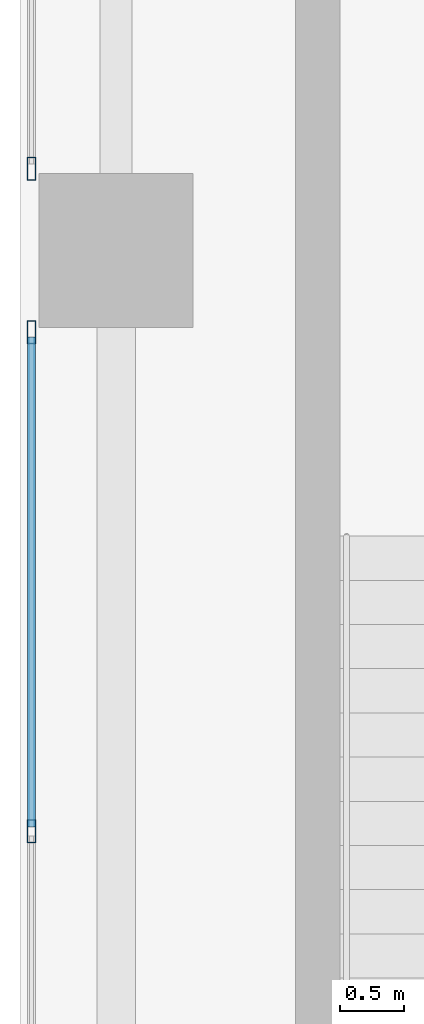
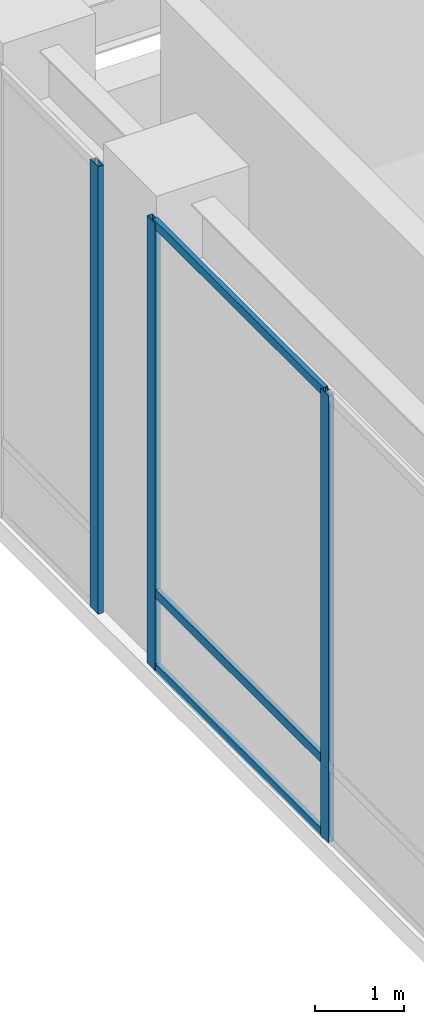
# One storey, part 30 of 50: 6 members, 2 elements without a shape of their own.
"""IFC4 building model written with IfcOpenShell, lengths in metres."""

import ifcopenshell
import ifcopenshell.guid

model = None  # the IFC model being written
_history = None  # IfcOwnerHistory: only IFC2X3 demands one
_inside = {}  # id of a spatial element -> (the spatial element, [elements in it])
_under = {}  # id of a project, library or spatial element -> (it, [spatial elements below it])
_declared = {}  # id of a project -> (the project, [libraries it declares])
_typed = {}  # id of a type object -> (the type object, [elements of that type])
_made_of = {}  # id of a material, layer set ... -> (it, [elements and type objects made of it])


def new_model(schema):
    """Start an empty IFC model of exactly this schema.

    Asked for "IFC4X3", IfcOpenShell would pick the latest addendum, in which some entities
    have other attributes; the version numbers below select the first issue.
    IFC2X3 requires an IfcOwnerHistory on every rooted entity: one is made here for all.
    """
    global model, _history
    if schema == "IFC4X3":
        model = ifcopenshell.file(schema_version=(4, 3, 0, 0))
    else:
        model = ifcopenshell.file(schema=schema)
    _inside.clear()
    _under.clear()
    _declared.clear()
    _typed.clear()
    _made_of.clear()
    _history = None
    if model.schema == "IFC2X3":
        org = make("IfcOrganization", Name="unknown")
        user = make(
            "IfcPersonAndOrganization",
            ThePerson=make("IfcPerson", FamilyName="unknown"),
            TheOrganization=org,
        )
        app = make(
            "IfcApplication",
            ApplicationDeveloper=org,
            Version="unknown",
            ApplicationFullName="unknown",
            ApplicationIdentifier="unknown",
        )
        _history = make(
            "IfcOwnerHistory",
            OwningUser=user,
            OwningApplication=app,
            ChangeAction="ADDED",
            CreationDate=0,
        )
    return model


def make(cls, **values):
    """One entity of the class cls with the attributes given. An attribute that is None is left unset."""
    return model.create_entity(
        cls, **{name: value for name, value in values.items() if value is not None}
    )


def rooted(cls, **values):
    """An entity with a GlobalId (a new one), such as an element, a storey or a relation."""
    return make(cls, GlobalId=ifcopenshell.guid.new(), OwnerHistory=_history, **values)


def si_unit(unit_type, name, prefix=None):
    """IfcSIUnit, for example si_unit("LENGTHUNIT", "METRE", prefix="MILLI")."""
    return make("IfcSIUnit", UnitType=unit_type, Prefix=prefix, Name=name)


def assignment(units):
    """IfcUnitAssignment: the units of a project."""
    return None if units is None else make("IfcUnitAssignment", Units=units)


def point(xyz):
    """IfcCartesianPoint."""
    return None if xyz is None else make("IfcCartesianPoint", Coordinates=xyz)


def direction(xyz):
    """IfcDirection."""
    return None if xyz is None else make("IfcDirection", DirectionRatios=xyz)


def frame(location, z_axis=None, x_axis=None):
    """IfcAxis2Placement3D, a coordinate frame: its origin and axes. An axis left out is left unset."""
    return make(
        "IfcAxis2Placement3D",
        Location=point(location),
        Axis=direction(z_axis),
        RefDirection=direction(x_axis),
    )


def frame_2d(location, x_axis=None):
    """IfcAxis2Placement2D, a coordinate frame in the plane: its origin and x axis."""
    return make(
        "IfcAxis2Placement2D", Location=point(location), RefDirection=direction(x_axis)
    )


def origin():
    """The frame at (0, 0, 0) with its axes left unset."""
    return frame((0.0, 0.0, 0.0))


def origin_2d():
    """The frame at (0, 0) in the plane with its x axis left unset."""
    return frame_2d((0.0, 0.0))


def place(relative_to, where):
    """IfcLocalPlacement: puts the frame where relative to a parent placement (None: the world)."""
    return make(
        "IfcLocalPlacement", PlacementRelTo=relative_to, RelativePlacement=where
    )


def context(
    kind, dimensions, precision=None, world=None, true_north=None, identifier=None
):
    """IfcGeometricRepresentationContext, for example the 3D "Model" context."""
    return make(
        "IfcGeometricRepresentationContext",
        ContextIdentifier=identifier,
        ContextType=kind,
        CoordinateSpaceDimension=dimensions,
        Precision=precision,
        WorldCoordinateSystem=world,
        TrueNorth=true_north,
    )


def subcontext(parent, identifier, kind, view, scale=None):
    """IfcGeometricRepresentationSubContext, for example "Body" below "Model"."""
    return make(
        "IfcGeometricRepresentationSubContext",
        ContextIdentifier=identifier,
        ContextType=kind,
        ParentContext=parent,
        TargetScale=scale,
        TargetView=view,
    )


def project(units=None, contexts=None):
    """IfcProject with its units and contexts."""
    return rooted(
        "IfcProject",
        Name="project",
        RepresentationContexts=contexts,
        UnitsInContext=assignment(units),
    )


def spatial(cls, under=None, at=None, **own):
    """A site, building, storey or space (cls), placed at a placement, below another one or the project."""
    s = rooted(cls, ObjectPlacement=at, **own)
    if under is not None:
        _under.setdefault(under.id(), (under, []))[1].append(s)
    return s


def profile(cls, at=None, kind="AREA", **sizes):
    """A parametric profile (cls). Its sizes go by their IFC names, for example OverallWidth=200.0."""
    return make(cls, ProfileType=kind, Position=at, **sizes)


def hollow_rectangle(**sizes):
    """IfcRectangleHollowProfileDef."""
    return profile("IfcRectangleHollowProfileDef", **sizes)


def extrude(swept, where, along, depth):
    """IfcExtrudedAreaSolid: the profile swept, set in the frame where, extruded along a direction by depth."""
    return make(
        "IfcExtrudedAreaSolid",
        SweptArea=swept,
        Position=where,
        ExtrudedDirection=direction(along),
        Depth=depth,
    )


def shape(context_of_items, identifier, shape_type, items):
    """IfcShapeRepresentation: the items that make up one representation, for example the "Body"."""
    return make(
        "IfcShapeRepresentation",
        ContextOfItems=context_of_items,
        RepresentationIdentifier=identifier,
        RepresentationType=shape_type,
        Items=items,
    )


def source(mapping_origin, context_of_items, identifier, shape_type, items):
    """IfcRepresentationMap: a shape defined once, which mapped items show again and again."""
    return make(
        "IfcRepresentationMap",
        MappingOrigin=mapping_origin,
        MappedRepresentation=shape(context_of_items, identifier, shape_type, items),
    )


def transform(
    local_origin,
    x_axis=None,
    y_axis=None,
    z_axis=None,
    scale=None,
    scale2=None,
    scale3=None,
    uniform=True,
):
    """IfcCartesianTransformationOperator3D, or its non-uniform kind. x_axis, y_axis, z_axis: its Axis1, 2, 3."""
    if uniform:
        return make(
            "IfcCartesianTransformationOperator3D",
            Axis1=direction(x_axis),
            Axis2=direction(y_axis),
            LocalOrigin=point(local_origin),
            Scale=scale,
            Axis3=direction(z_axis),
        )
    return make(
        "IfcCartesianTransformationOperator3DnonUniform",
        Axis1=direction(x_axis),
        Axis2=direction(y_axis),
        LocalOrigin=point(local_origin),
        Scale=scale,
        Axis3=direction(z_axis),
        Scale2=scale2,
        Scale3=scale3,
    )


def mapped(mapping_source, mapping_target):
    """IfcMappedItem: shows the shape of a source again, moved by a transform."""
    return make(
        "IfcMappedItem", MappingSource=mapping_source, MappingTarget=mapping_target
    )


def material(Name=None, Category=None):
    """IfcMaterial."""
    return make("IfcMaterial", Name=Name, Category=Category)


def layer(
    of_material, thickness, ventilated=None, Name=None, Category=None, Priority=None
):
    """IfcMaterialLayer: one layer of a wall or slab, of a material (None: an air gap)."""
    return make(
        "IfcMaterialLayer",
        Material=of_material,
        LayerThickness=thickness,
        IsVentilated=ventilated,
        Name=Name,
        Category=Category,
        Priority=Priority,
    )


def layer_set(layers, Name=None):
    """IfcMaterialLayerSet."""
    return make("IfcMaterialLayerSet", MaterialLayers=layers, LayerSetName=Name)


def material_profile(
    of_material, cross_section, Name=None, Category=None, Priority=None
):
    """IfcMaterialProfile: a cross section and its material."""
    return make(
        "IfcMaterialProfile",
        Name=Name,
        Material=of_material,
        Profile=cross_section,
        Priority=Priority,
        Category=Category,
    )


def profile_set(profiles, Name=None, composite=None):
    """IfcMaterialProfileSet."""
    return make(
        "IfcMaterialProfileSet",
        Name=Name,
        MaterialProfiles=profiles,
        CompositeProfile=composite,
    )


def made_of(thing, what):
    """Note that an element or type object is made of a material, layer set ...; save() writes the relation."""
    if what is not None:
        _made_of.setdefault(what.id(), (what, []))[1].append(thing)
    return thing


def type_object(cls, material=None, **own):
    """A type object (cls), such as IfcWallType, which elements share."""
    return made_of(rooted(cls, **own), material)


def type_shapes(of_type, sources):
    """Give a type object the sources (RepresentationMaps) that its elements show as mapped items."""
    of_type.RepresentationMaps = sources


def element(
    cls,
    number,
    at=None,
    inside=None,
    cuts=None,
    type_object=None,
    material=None,
    context=None,
    identifier="Body",
    shape_type=None,
    held_by="IfcProductDefinitionShape",
    body=None,
    shapes=None,
    **own,
):
    """One element of the class cls, such as IfcWall. Its Tag is "e" and its number.

    at: its placement. inside: the storey or other place that contains it. cuts: it is an
    opening in that element (IfcRelVoidsElement). A single representation is given by context,
    identifier, shape_type and body (its items); several are given by shapes. held_by: the class
    of the entity that holds the representations. save() writes the other relations.
    """
    e = rooted(cls, Tag="e%d" % number, ObjectPlacement=at, **own)
    if body is not None:
        shapes = [shape(context, identifier, shape_type, body)]
    if shapes is not None:
        e.Representation = make(held_by, Representations=shapes)
    if inside is not None:
        _inside.setdefault(inside.id(), (inside, []))[1].append(e)
    if cuts is not None:
        rooted(
            "IfcRelVoidsElement", RelatingBuildingElement=cuts, RelatedOpeningElement=e
        )
    if type_object is not None:
        _typed.setdefault(type_object.id(), (type_object, []))[1].append(e)
    return made_of(e, material)


def aggregate(whole, parts):
    """IfcRelAggregates: a whole, such as a stair, and the parts it consists of."""
    return rooted("IfcRelAggregates", RelatingObject=whole, RelatedObjects=parts)


def save(model, path):
    """Write the relations noted so far, then the file.

    IfcRelAggregates (storeys below a building ...), IfcRelContainedInSpatialStructure (elements
    in a storey), IfcRelDefinesByType, IfcRelAssociatesMaterial and IfcRelDeclares: one each for
    every whole, place, type object, material and project.
    """
    for whole, parts in _under.values():
        aggregate(whole, parts)
    for where, things in _inside.values():
        rooted(
            "IfcRelContainedInSpatialStructure",
            RelatedElements=things,
            RelatingStructure=where,
        )
    for kind, things in _typed.values():
        rooted("IfcRelDefinesByType", RelatedObjects=things, RelatingType=kind)
    for what, things in _made_of.values():
        rooted("IfcRelAssociatesMaterial", RelatedObjects=things, RelatingMaterial=what)
    for by, libraries in _declared.values():
        rooted("IfcRelDeclares", RelatingContext=by, RelatedDefinitions=libraries)
    model.write(path)


model = new_model("IFC4")

# Units and contexts
model_context = context("Model", 3, precision=1e-05, world=origin(), true_north=direction((0.0, 1.0)))
body_context = subcontext(model_context, "Body", "Model", "MODEL_VIEW")
ifc_project = project(units=[si_unit("LENGTHUNIT", "METRE"), si_unit("AREAUNIT", "SQUARE_METRE"), si_unit("VOLUMEUNIT", "CUBIC_METRE"), si_unit("PLANEANGLEUNIT", "RADIAN"), si_unit("MASSUNIT", "GRAM", prefix="KILO")], contexts=[model_context])

# Site, building, storey
site_placement = place(None, origin())
site = spatial("IfcSite", under=ifc_project, at=site_placement, CompositionType="ELEMENT")
building_placement = place(site_placement, origin())
building = spatial("IfcBuilding", under=site, at=building_placement, Name="Tolvann Quenvar Hotel", CompositionType="ELEMENT")
storey_placement = place(building_placement, frame((0.0, 0.0, 16.0)))
storey = spatial("IfcBuildingStorey", under=building, at=storey_placement, Name="L03", CompositionType="ELEMENT", Elevation=16.0)

# Curtain wall, member
ifc_material_1 = material(Name="Thermally broken anodised architectural aluminium 6063-T6 and laminated low-E glass", Category="aluminium")
ifc_layer = layer(ifc_material_1, 0.179931640625)
ifc_layer_set = layer_set([ifc_layer], Name="Thermally broken anodised architectural aluminium 6063-T6 and laminated low-E glass")
curtain_wall_type = type_object("IfcCurtainWallType", Name="CW_SYS_BALL_02", PredefinedType="USERDEFINED", material=ifc_layer_set)
curtain_wall_1_placement = place(storey_placement, origin())
curtain_wall_1 = element("IfcCurtainWall", 1, at=curtain_wall_1_placement, inside=storey, type_object=curtain_wall_type, Name="Curtain Wall CW-BALL-02 (CWR-L03-E07-S1)", ObjectType="UNITISED CURTAIN WALL", PredefinedType="USERDEFINED")
ifc_material_2 = material(Name="Anodised architectural aluminium 6063-T6 framing", Category="aluminium")
ifc_material_profile_1 = material_profile(ifc_material_2, hollow_rectangle(XDim=0.070068359375, YDim=0.179931640625, WallThickness=0.00390625, at=origin_2d()), Name="180x70x4RHS")
ifc_profile_set_1 = profile_set([ifc_material_profile_1], Name="Anodised architectural aluminium 6063-T6 framing")
member_type_1 = type_object("IfcMemberType", Name="CW_MULL_180x70", PredefinedType="MULLION", material=ifc_profile_set_1)
shared_shape_1 = source(origin(), body_context, "Body", "SweptSolid", [
    extrude(hollow_rectangle(XDim=0.070068359375, YDim=0.179931640625, WallThickness=0.00390625, at=origin_2d()), origin(), (0.0, 0.0, 1.0), 6.139892578125),
])
type_shapes(member_type_1, [shared_shape_1])
member_1_placement = place(storey_placement, frame((-8.31005859375, 45.0390625, 0.0), z_axis=(0.0, 0.0, 1.0), x_axis=(1.0, 0.0, 0.0)))
member_1 = element("IfcMember", 2, at=member_1_placement, type_object=member_type_1, Name="CW-BALL-02 mullion 2", PredefinedType="MULLION", context=body_context, shape_type="MappedRepresentation", body=[
    mapped(shared_shape_1, transform((0.0, 0.0, 0.0), x_axis=(1.0, 0.0, 0.0), y_axis=(0.0, 1.0, 0.0), z_axis=(0.0, 0.0, 1.0), scale=1.0)),
])
aggregate(curtain_wall_1, [member_1])

# Curtain wall, members
curtain_wall_2_placement = place(storey_placement, origin())
curtain_wall_2 = element("IfcCurtainWall", 3, at=curtain_wall_2_placement, inside=storey, type_object=curtain_wall_type, Name="Curtain Wall CW-BALL-02 (CWR-L03-E07-S2)", ObjectType="UNITISED CURTAIN WALL", PredefinedType="USERDEFINED")
member_2_placement = place(storey_placement, frame((-8.31005859375, 43.760986328125, 0.0), z_axis=(0.0, 0.0, 1.0), x_axis=(1.0, 0.0, 0.0)))
member_2 = element("IfcMember", 4, at=member_2_placement, type_object=member_type_1, Name="CW-BALL-02 mullion 1", PredefinedType="MULLION", context=body_context, shape_type="MappedRepresentation", body=[
    mapped(shared_shape_1, transform((0.0, 0.0, 0.0), x_axis=(1.0, 0.0, 0.0), y_axis=(0.0, 1.0, 0.0), z_axis=(0.0, 0.0, 1.0), scale=1.0)),
])
member_3_placement = place(storey_placement, frame((-8.31005859375, 39.865234375, 0.0), z_axis=(0.0, 0.0, 1.0), x_axis=(1.0, 0.0, 0.0)))
member_3 = element("IfcMember", 5, at=member_3_placement, type_object=member_type_1, Name="CW-BALL-02 mullion 2", PredefinedType="MULLION", context=body_context, shape_type="MappedRepresentation", body=[
    mapped(shared_shape_1, transform((0.0, 0.0, 0.0), x_axis=(1.0, 0.0, 0.0), y_axis=(0.0, 1.0, 0.0), z_axis=(0.0, 0.0, 1.0), scale=1.0)),
])
ifc_material_profile_2 = material_profile(ifc_material_2, hollow_rectangle(XDim=0.06005859375, YDim=0.1201171875, WallThickness=0.00341796875, at=origin_2d()), Name="120x60x3.5RHS")
ifc_profile_set_2 = profile_set([ifc_material_profile_2], Name="Anodised architectural aluminium 6063-T6 framing")
member_type_2 = type_object("IfcMemberType", Name="CW_TRAN_120x60", PredefinedType="USERDEFINED", material=ifc_profile_set_2)
shared_shape_2 = source(origin(), body_context, "Body", "SweptSolid", [
    extrude(hollow_rectangle(XDim=0.06005859375, YDim=0.1201171875, WallThickness=0.00341796875, at=origin_2d()), origin(), (0.0, 0.0, 1.0), 3.82568359375),
])
type_shapes(member_type_2, [shared_shape_2])
member_4_placement = place(storey_placement, frame((-8.31005859375, 43.72607421875, 0.030029296875), z_axis=(0.0, -1.0, 0.0), x_axis=(1.0, 0.0, 0.0)))
member_4 = element("IfcMember", 6, at=member_4_placement, type_object=member_type_2, Name="CW-BALL-02 transom 1.1", ObjectType="TRANSOM", PredefinedType="USERDEFINED", context=body_context, shape_type="MappedRepresentation", body=[
    mapped(shared_shape_2, transform((0.0, 0.0, 0.0), x_axis=(1.0, 0.0, 0.0), y_axis=(0.0, 1.0, 0.0), z_axis=(0.0, 0.0, 1.0), scale=1.0)),
])
member_5_placement = place(storey_placement, frame((-8.31005859375, 43.72607421875, 1.050048828125), z_axis=(0.0, -1.0, 0.0), x_axis=(1.0, 0.0, 0.0)))
member_5 = element("IfcMember", 7, at=member_5_placement, type_object=member_type_2, Name="CW-BALL-02 transom 1.2", ObjectType="TRANSOM", PredefinedType="USERDEFINED", context=body_context, shape_type="MappedRepresentation", body=[
    mapped(shared_shape_2, transform((0.0, 0.0, 0.0), x_axis=(1.0, 0.0, 0.0), y_axis=(0.0, 1.0, 0.0), z_axis=(0.0, 0.0, 1.0), scale=1.0)),
])
member_6_placement = place(storey_placement, frame((-8.31005859375, 43.72607421875, 6.110107421875), z_axis=(0.0, -1.0, 0.0), x_axis=(1.0, 0.0, 0.0)))
member_6 = element("IfcMember", 8, at=member_6_placement, type_object=member_type_2, Name="CW-BALL-02 transom 1.3", ObjectType="TRANSOM", PredefinedType="USERDEFINED", context=body_context, shape_type="MappedRepresentation", body=[
    mapped(shared_shape_2, transform((0.0, 0.0, 0.0), x_axis=(1.0, 0.0, 0.0), y_axis=(0.0, 1.0, 0.0), z_axis=(0.0, 0.0, 1.0), scale=1.0)),
])
aggregate(curtain_wall_2, [member_2, member_3, member_4, member_5, member_6])

save(model, "model.ifc")
